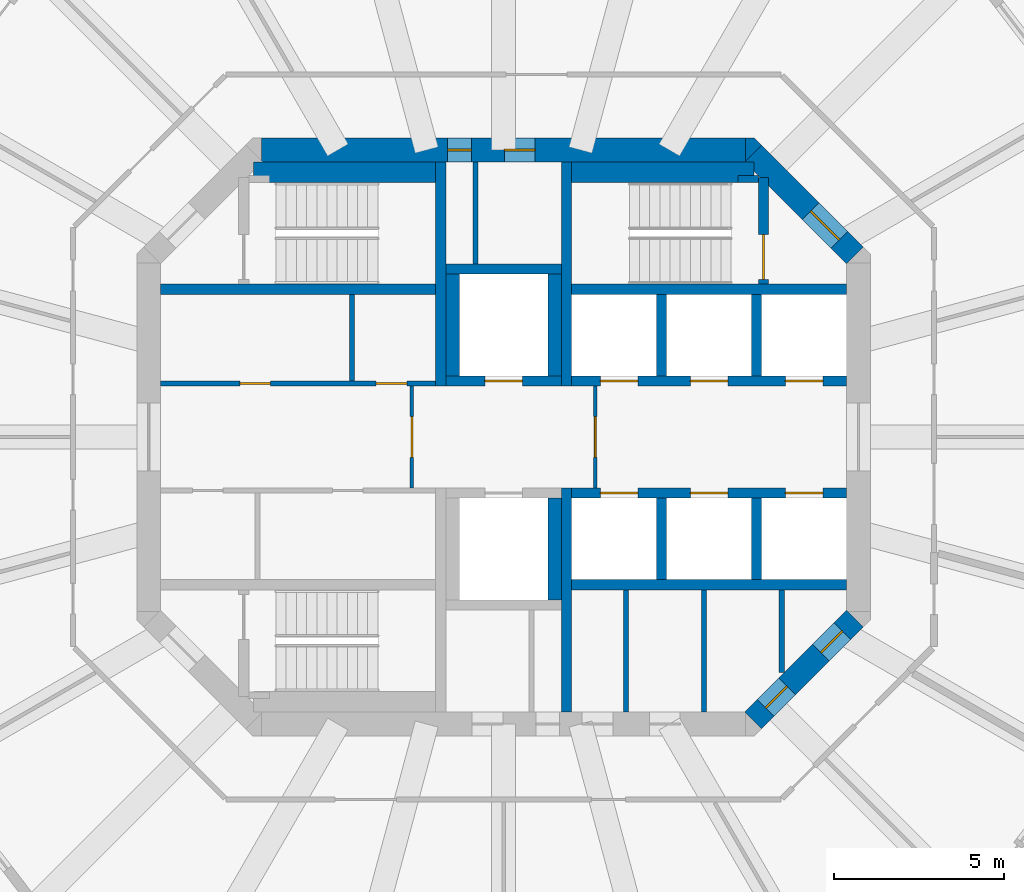
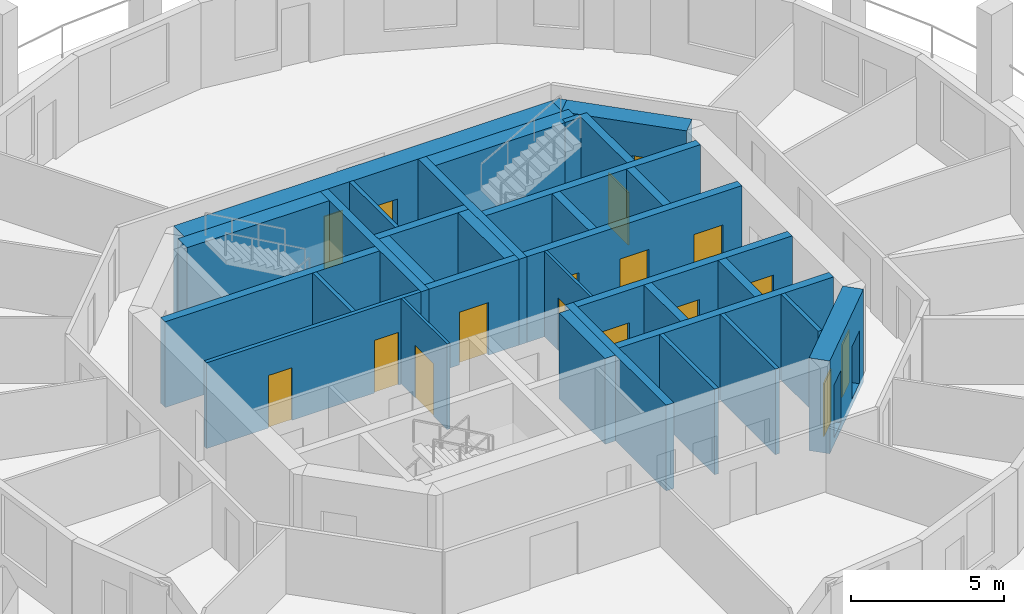
# One storey, part 4 of 8: 33 walls, 17 doors, 17 openings.
"""IFC4 building model written with IfcOpenShell, lengths in metres."""

from ifc_helpers import new_model, si_unit, direction, frame, frame_2d, origin, place, context, subcontext, project, spatial, polyline, rectangle, outline, extrude, material, layer, layer_set, type_object, element, fill, save


model = new_model("IFC4")

# Units and contexts
model_context = context("Model", 3, precision=1e-05, world=origin(), true_north=direction((0.0, 1.0)))
body_context = subcontext(model_context, "Body", "Model", "MODEL_VIEW")
ifc_project = project(units=[si_unit("LENGTHUNIT", "METRE"), si_unit("AREAUNIT", "SQUARE_METRE"), si_unit("VOLUMEUNIT", "CUBIC_METRE"), si_unit("PLANEANGLEUNIT", "RADIAN"), si_unit("MASSUNIT", "GRAM", prefix="KILO")], contexts=[model_context])

# Site, building, storey
site_placement = place(None, origin())
site = spatial("IfcSite", under=ifc_project, at=site_placement, CompositionType="ELEMENT")
building_placement = place(site_placement, origin())
building = spatial("IfcBuilding", under=site, at=building_placement, Name="Torre Triforio", CompositionType="ELEMENT")
storey_placement = place(building_placement, frame((0.0, 0.0, 200.199951171875)))
storey = spatial("IfcBuildingStorey", under=building, at=storey_placement, Name="L45", CompositionType="ELEMENT", Elevation=200.199951171875)

# Walls
ifc_material_1 = material(Name="Concrete C50", Category="concrete")
ifc_layer_1 = layer(ifc_material_1, 0.300048828125)
ifc_layer_set_1 = layer_set([ifc_layer_1], Name="Concrete C50")
wall_type_1 = type_object("IfcWallType", Name="Core wall 300 mm C50 EI 120", PredefinedType="SHEAR", material=ifc_layer_set_1)
for number, where, z_axis, x_axis, name in (
    (1, (-1.85009765625, 1.5, 0.0), (0.0, 0.0, 1.0), (0.0, 1.0, 0.0), "Core wall"),
    (2, (1.85009765625, 1.5, 0.0), (0.0, 0.0, 1.0), (0.0, 1.0, 0.0), "Core wall"),
    (3, (1.85009765625, -8.10009765625, 0.0), (0.0, 0.0, 1.0), (0.0, 1.0, 0.0), "Core wall"),
):
    element("IfcWall", number, at=place(storey_placement, frame(where, z_axis=z_axis, x_axis=x_axis)), inside=storey, type_object=wall_type_1, Name=name, PredefinedType="SHEAR", context=body_context, shape_type="SweptSolid", body=[
        extrude(rectangle(XDim=6.60009765625, YDim=0.300048828125, at=frame_2d((3.300048828125, 0.0))), origin(), (0.0, 0.0, 1.0), 3.420166015625),
    ])

# Wall, openings, doors
ifc_layer_2 = layer(ifc_material_1, 0.699951171875)
ifc_layer_set_2 = layer_set([ifc_layer_2], Name="Concrete C50")
wall_type_2 = type_object("IfcWallType", Name="Core wall 700 mm C50 EI 120", PredefinedType="SHEAR", material=ifc_layer_set_2)
wall_1_placement = place(storey_placement, frame((-7.1298828125, 8.449951171875, -0.280029296875), z_axis=(0.0, 0.0, 1.0), x_axis=(1.0, 0.0, 0.0)))
wall_1 = element("IfcWall", 4, at=wall_1_placement, inside=storey, type_object=wall_type_2, Name="Core wall", PredefinedType="SHEAR", context=body_context, shape_type="SweptSolid", body=[
    extrude(rectangle(XDim=14.259765625, YDim=0.699951171875, at=frame_2d((7.1298828125, 0.0))), origin(), (0.0, 0.0, 1.0), 3.7001953125),
])
opening_1_placement = place(wall_1_placement, frame((5.47998046875, 0.0, 0.280029296875)))
opening_1 = element("IfcOpeningElement", 5, at=opening_1_placement, cuts=wall_1, Name="Opening RISER-N", PredefinedType="OPENING", context=body_context, shape_type="SweptSolid", body=[
    extrude(rectangle(XDim=0.699951171875, YDim=2.10009765625, at=frame_2d((0.35009765625, 1.050048828125))), frame((0.0, 0.35986328125, 0.0), z_axis=(0.0, -1.0, 0.0), x_axis=(1.0, 0.0, 0.0)), (0.0, 0.0, 1.0), 0.719970703125),
])
opening_2_placement = place(wall_1_placement, frame((7.155029296875, 0.0, 0.280029296875)))
opening_2 = element("IfcOpeningElement", 6, at=opening_2_placement, cuts=wall_1, Name="Opening NE-01", PredefinedType="OPENING", context=body_context, shape_type="SweptSolid", body=[
    extrude(rectangle(XDim=0.89990234375, YDim=2.10009765625, at=frame_2d((0.449951171875, 1.050048828125))), frame((0.0, 0.35986328125, 0.0), z_axis=(0.0, -1.0, 0.0), x_axis=(1.0, 0.0, 0.0)), (0.0, 0.0, 1.0), 0.719970703125),
])
ifc_material_2 = material(Name="Hollow metal fire door leaf")
door_type_1 = type_object("IfcDoorType", Name="Riser door 700 x 2100 EI 60", OperationType="NOTDEFINED", PredefinedType="DOOR", material=ifc_material_2)
door_1_placement = place(opening_1_placement, origin())
door_1 = element("IfcDoor", 7, at=door_1_placement, inside=storey, type_object=door_type_1, Name="Core door RISER-N", OperationType="SINGLE_SWING_LEFT", OverallHeight=2.10009765625, OverallWidth=0.699951171875, PredefinedType="DOOR", context=body_context, shape_type="SweptSolid", body=[
    extrude(rectangle(XDim=0.699951171875, YDim=2.10009765625, at=frame_2d((0.35009765625, 1.050048828125))), frame((0.0, 0.02490234375, 0.0), z_axis=(0.0, -1.0, 0.0), x_axis=(1.0, 0.0, 0.0)), (0.0, 0.0, 1.0), 0.050048828125),
])
fill(opening_1, door_1)
door_type_2 = type_object("IfcDoorType", Name="Room door 900 x 2100 EI 60", OperationType="NOTDEFINED", PredefinedType="DOOR", material=ifc_material_2)
door_2_placement = place(opening_2_placement, origin())
door_2 = element("IfcDoor", 8, at=door_2_placement, inside=storey, type_object=door_type_2, Name="Core door NE-01", OperationType="SINGLE_SWING_RIGHT", OverallHeight=2.10009765625, OverallWidth=0.89990234375, PredefinedType="DOOR", context=body_context, shape_type="SweptSolid", body=[
    extrude(rectangle(XDim=0.89990234375, YDim=2.10009765625, at=frame_2d((0.449951171875, 1.050048828125))), frame((0.0, 0.02490234375, 0.0), z_axis=(0.0, -1.0, 0.0), x_axis=(1.0, 0.0, 0.0)), (0.0, 0.0, 1.0), 0.050048828125),
])
fill(opening_2, door_2)

# Wall, opening, door
wall_2_placement = place(storey_placement, frame((7.347412109375, 8.347412109375, -0.280029296875), z_axis=(0.0, 0.0, 1.0), x_axis=(0.707106781187, -0.707106781187, 0.0)))
wall_2 = element("IfcWall", 9, at=wall_2_placement, inside=storey, type_object=wall_type_2, Name="Core wall", PredefinedType="SHEAR", context=body_context, shape_type="SweptSolid", body=[
    extrude(rectangle(XDim=4.24267578125, YDim=0.699951171875, at=frame_2d((2.121337890625, 0.0))), origin(), (0.0, 0.0, 1.0), 3.7001953125),
])
opening_3_placement = place(wall_2_placement, frame((2.392578125, 0.0, 0.280029296875)))
opening_3 = element("IfcOpeningElement", 10, at=opening_3_placement, cuts=wall_2, Name="Opening ST2-EXIT", PredefinedType="OPENING", context=body_context, shape_type="SweptSolid", body=[
    extrude(rectangle(XDim=1.199951171875, YDim=2.10009765625, at=frame_2d((0.60009765625, 1.050048828125))), frame((0.0, 0.35986328125, 0.0), z_axis=(0.0, -1.0, 0.0), x_axis=(1.0, 0.0, 0.0)), (0.0, 0.0, 1.0), 0.719970703125),
])
door_type_3 = type_object("IfcDoorType", Name="Stair lobby door 1200 x 2100 EI 60", OperationType="NOTDEFINED", PredefinedType="DOOR", material=ifc_material_2)
door_3_placement = place(opening_3_placement, origin())
door_3 = element("IfcDoor", 11, at=door_3_placement, inside=storey, type_object=door_type_3, Name="Core door ST2-EXIT", OperationType="SINGLE_SWING_RIGHT", OverallHeight=2.10009765625, OverallWidth=1.199951171875, PredefinedType="DOOR", context=body_context, shape_type="SweptSolid", body=[
    extrude(rectangle(XDim=1.199951171875, YDim=2.10009765625, at=frame_2d((0.60009765625, 1.050048828125))), frame((0.0, 0.02490234375, 0.0), z_axis=(0.0, -1.0, 0.0), x_axis=(1.0, 0.0, 0.0)), (0.0, 0.0, 1.0), 0.050048828125),
])
fill(opening_3, door_3)

# Wall, openings, doors
wall_3_placement = place(storey_placement, frame((10.347412109375, -5.347412109375, -0.280029296875), z_axis=(0.0, 0.0, 1.0), x_axis=(-0.707106781187, -0.707106781187, 0.0)))
wall_3 = element("IfcWall", 12, at=wall_3_placement, inside=storey, type_object=wall_type_2, Name="Core wall", PredefinedType="SHEAR", context=body_context, shape_type="SweptSolid", body=[
    extrude(rectangle(XDim=4.24267578125, YDim=0.699951171875, at=frame_2d((2.121337890625, 0.0))), origin(), (0.0, 0.0, 1.0), 3.7001953125),
])
opening_4_placement = place(wall_3_placement, frame((2.82275390625, 0.0, 0.280029296875)))
opening_4 = element("IfcOpeningElement", 13, at=opening_4_placement, cuts=wall_3, Name="Opening SE-03", PredefinedType="OPENING", context=body_context, shape_type="SweptSolid", body=[
    extrude(rectangle(XDim=0.89990234375, YDim=2.10009765625, at=frame_2d((0.449951171875, 1.050048828125))), frame((0.0, 0.35986328125, 0.0), z_axis=(0.0, -1.0, 0.0), x_axis=(1.0, 0.0, 0.0)), (0.0, 0.0, 1.0), 0.719970703125),
])
opening_5_placement = place(wall_3_placement, frame((0.52001953125, 0.0, 0.280029296875)))
opening_5 = element("IfcOpeningElement", 14, at=opening_5_placement, cuts=wall_3, Name="Opening SE-04", PredefinedType="OPENING", context=body_context, shape_type="SweptSolid", body=[
    extrude(rectangle(XDim=0.89990234375, YDim=2.10009765625, at=frame_2d((0.449951171875, 1.050048828125))), frame((0.0, 0.35986328125, 0.0), z_axis=(0.0, -1.0, 0.0), x_axis=(1.0, 0.0, 0.0)), (0.0, 0.0, 1.0), 0.719970703125),
])
door_4_placement = place(opening_4_placement, origin())
door_4 = element("IfcDoor", 15, at=door_4_placement, inside=storey, type_object=door_type_2, Name="Core door SE-03", OperationType="SINGLE_SWING_RIGHT", OverallHeight=2.10009765625, OverallWidth=0.89990234375, PredefinedType="DOOR", context=body_context, shape_type="SweptSolid", body=[
    extrude(rectangle(XDim=0.89990234375, YDim=2.10009765625, at=frame_2d((0.449951171875, 1.050048828125))), frame((0.0, 0.02490234375, 0.0), z_axis=(0.0, -1.0, 0.0), x_axis=(1.0, 0.0, 0.0)), (0.0, 0.0, 1.0), 0.050048828125),
])
fill(opening_4, door_4)
door_5_placement = place(opening_5_placement, origin())
door_5 = element("IfcDoor", 16, at=door_5_placement, inside=storey, type_object=door_type_2, Name="Core door SE-04", OperationType="SINGLE_SWING_LEFT", OverallHeight=2.10009765625, OverallWidth=0.89990234375, PredefinedType="DOOR", context=body_context, shape_type="SweptSolid", body=[
    extrude(rectangle(XDim=0.89990234375, YDim=2.10009765625, at=frame_2d((0.449951171875, 1.050048828125))), frame((0.0, 0.02490234375, 0.0), z_axis=(0.0, -1.0, 0.0), x_axis=(1.0, 0.0, 0.0)), (0.0, 0.0, 1.0), 0.050048828125),
])
fill(opening_5, door_5)

# Wall
wall_4_placement = place(storey_placement, frame((0.0, 0.0, -0.280029296875)))
element("IfcWall", 17, at=wall_4_placement, inside=storey, type_object=wall_type_2, Name="Core wall", PredefinedType="SHEAR", context=body_context, shape_type="SweptSolid", body=[
    extrude(outline(polyline([(7.389892578125, 8.800048828125), (7.594970703125, 8.594970703125), (7.594970703125, 8.594970703125), (7.594970703125, 8.594970703125), (7.1298828125, 8.1298828125), (7.1298828125, 8.800048828125), (7.1298828125, 8.800048828125), (7.389892578125, 8.800048828125)])), origin(), (0.0, 0.0, 1.0), 3.7001953125),
])

# Wall, opening, door
ifc_material_3 = material(Name="Block and board partition")
ifc_layer_3 = layer(ifc_material_3, 0.10009765625)
ifc_layer_set_3 = layer_set([ifc_layer_3], Name="Block and board partition")
wall_type_3 = type_object("IfcWallType", Name="Partition 100 mm EI 120", PredefinedType="PARTITIONING", material=ifc_layer_set_3)
wall_5_placement = place(storey_placement, frame((-2.699951171875, -1.5, 0.0), z_axis=(0.0, 0.0, 1.0), x_axis=(0.0, 1.0, 0.0)))
wall_5 = element("IfcWall", 18, at=wall_5_placement, inside=storey, type_object=wall_type_3, Name="Partition", PredefinedType="PARTITIONING", context=body_context, shape_type="SweptSolid", body=[
    extrude(rectangle(XDim=3.0, YDim=0.10009765625, at=frame_2d((1.5, 0.0))), origin(), (0.0, 0.0, 1.0), 3.420166015625),
])
opening_6_placement = place(wall_5_placement, frame((0.89990234375, 0.0, 0.0)))
opening_6 = element("IfcOpeningElement", 19, at=opening_6_placement, cuts=wall_5, Name="Opening FF-W", PredefinedType="OPENING", context=body_context, shape_type="SweptSolid", body=[
    extrude(rectangle(XDim=1.199951171875, YDim=2.10009765625, at=frame_2d((0.60009765625, 1.050048828125))), frame((0.0, 0.06005859375, 0.0), z_axis=(0.0, -1.0, 0.0), x_axis=(1.0, 0.0, 0.0)), (0.0, 0.0, 1.0), 0.1201171875),
])
door_type_4 = type_object("IfcDoorType", Name="Fire-fighting lobby door 1200 x 2100 EI 60", OperationType="NOTDEFINED", PredefinedType="DOOR", material=ifc_material_2)
door_6_placement = place(opening_6_placement, origin())
door_6 = element("IfcDoor", 20, at=door_6_placement, inside=storey, type_object=door_type_4, Name="Core door FF-W", OperationType="SINGLE_SWING_LEFT", OverallHeight=2.10009765625, OverallWidth=1.199951171875, PredefinedType="DOOR", context=body_context, shape_type="SweptSolid", body=[
    extrude(rectangle(XDim=1.199951171875, YDim=2.10009765625, at=frame_2d((0.60009765625, 1.050048828125))), frame((0.0, 0.02490234375, 0.0), z_axis=(0.0, -1.0, 0.0), x_axis=(1.0, 0.0, 0.0)), (0.0, 0.0, 1.0), 0.050048828125),
])
fill(opening_6, door_6)

wall_6_placement = place(storey_placement, frame((2.699951171875, -1.5, 0.0), z_axis=(0.0, 0.0, 1.0), x_axis=(0.0, 1.0, 0.0)))
wall_6 = element("IfcWall", 21, at=wall_6_placement, inside=storey, type_object=wall_type_3, Name="Partition", PredefinedType="PARTITIONING", context=body_context, shape_type="SweptSolid", body=[
    extrude(rectangle(XDim=3.0, YDim=0.10009765625, at=frame_2d((1.5, 0.0))), origin(), (0.0, 0.0, 1.0), 3.420166015625),
])
opening_7_placement = place(wall_6_placement, frame((0.89990234375, 0.0, 0.0)))
opening_7 = element("IfcOpeningElement", 22, at=opening_7_placement, cuts=wall_6, Name="Opening FF-E", PredefinedType="OPENING", context=body_context, shape_type="SweptSolid", body=[
    extrude(rectangle(XDim=1.199951171875, YDim=2.10009765625, at=frame_2d((0.60009765625, 1.050048828125))), frame((0.0, 0.06005859375, 0.0), z_axis=(0.0, -1.0, 0.0), x_axis=(1.0, 0.0, 0.0)), (0.0, 0.0, 1.0), 0.1201171875),
])
door_7_placement = place(opening_7_placement, origin())
door_7 = element("IfcDoor", 23, at=door_7_placement, inside=storey, type_object=door_type_4, Name="Core door FF-E", OperationType="SINGLE_SWING_LEFT", OverallHeight=2.10009765625, OverallWidth=1.199951171875, PredefinedType="DOOR", context=body_context, shape_type="SweptSolid", body=[
    extrude(rectangle(XDim=1.199951171875, YDim=2.10009765625, at=frame_2d((0.60009765625, 1.050048828125))), frame((0.0, 0.02490234375, 0.0), z_axis=(0.0, -1.0, 0.0), x_axis=(1.0, 0.0, 0.0)), (0.0, 0.0, 1.0), 0.050048828125),
])
fill(opening_7, door_7)

# Walls
ifc_layer_4 = layer(ifc_material_3, 0.14990234375)
ifc_layer_set_4 = layer_set([ifc_layer_4], Name="Block and board partition")
wall_type_4 = type_object("IfcWallType", Name="Partition 150 mm", PredefinedType="PARTITIONING", material=ifc_layer_set_4)
for number, where, z_axis, x_axis, name in (
    (24, (3.60498046875, -8.10009765625, 0.0), (0.0, 0.0, 1.0), (0.0, 1.0, 0.0), "Partition"),
    (25, (5.89697265625, -8.10009765625, 0.0), (0.0, 0.0, 1.0), (0.0, 1.0, 0.0), "Partition"),
):
    element("IfcWall", number, at=place(storey_placement, frame(where, z_axis=z_axis, x_axis=x_axis)), inside=storey, type_object=wall_type_4, Name=name, PredefinedType="PARTITIONING", context=body_context, shape_type="SweptSolid", body=[
        extrude(rectangle(XDim=3.60009765625, YDim=0.14990234375, at=frame_2d((1.800048828125, 0.0))), origin(), (0.0, 0.0, 1.0), 3.420166015625),
    ])
wall_7_placement = place(storey_placement, frame((8.18896484375, -6.93603515625, 0.0), z_axis=(0.0, 0.0, 1.0), x_axis=(0.0, 1.0, 0.0)))
element("IfcWall", 26, at=wall_7_placement, inside=storey, type_object=wall_type_4, Name="Partition", PredefinedType="PARTITIONING", context=body_context, shape_type="SweptSolid", body=[
    extrude(rectangle(XDim=2.43603515625, YDim=0.14990234375, at=frame_2d((1.218017578125, 0.0))), origin(), (0.0, 0.0, 1.0), 3.420166015625),
])
wall_8_placement = place(storey_placement, frame((-4.4599609375, 1.64990234375, 0.0), z_axis=(0.0, 0.0, 1.0), x_axis=(0.0, 1.0, 0.0)))
element("IfcWall", 27, at=wall_8_placement, inside=storey, type_object=wall_type_4, Name="Partition", PredefinedType="PARTITIONING", context=body_context, shape_type="SweptSolid", body=[
    extrude(rectangle(XDim=2.550048828125, YDim=0.14990234375, at=frame_2d((1.27490234375, 0.0))), origin(), (0.0, 0.0, 1.0), 3.420166015625),
])
ifc_layer_5 = layer(ifc_material_3, 0.14990234375)
ifc_layer_set_5 = layer_set([ifc_layer_5], Name="Block and board partition")
wall_type_5 = type_object("IfcWallType", Name="Partition 150 mm EI 120", PredefinedType="PARTITIONING", material=ifc_layer_set_5)
wall_9_placement = place(storey_placement, frame((-0.824951171875, 5.10009765625, 0.0), z_axis=(0.0, 0.0, 1.0), x_axis=(0.0, 1.0, 0.0)))
element("IfcWall", 28, at=wall_9_placement, inside=storey, type_object=wall_type_5, Name="Partition", PredefinedType="PARTITIONING", context=body_context, shape_type="SweptSolid", body=[
    extrude(rectangle(XDim=3.0, YDim=0.14990234375, at=frame_2d((1.5, 0.0))), origin(), (0.0, 0.0, 1.0), 3.420166015625),
])

# Wall, openings, doors
wall_10_placement = place(storey_placement, frame((-10.10009765625, 1.574951171875, 0.0), z_axis=(0.0, 0.0, 1.0), x_axis=(1.0, 0.0, 0.0)))
wall_10 = element("IfcWall", 29, at=wall_10_placement, inside=storey, type_object=wall_type_5, Name="Partition", PredefinedType="PARTITIONING", context=body_context, shape_type="SweptSolid", body=[
    extrude(rectangle(XDim=8.10009765625, YDim=0.14990234375, at=frame_2d((4.050048828125, 0.0))), origin(), (0.0, 0.0, 1.0), 3.420166015625),
])
opening_8_placement = place(wall_10_placement, frame((2.33251953125, 0.0, 0.0)))
opening_8 = element("IfcOpeningElement", 30, at=opening_8_placement, cuts=wall_10, Name="Opening FN-01", PredefinedType="OPENING", context=body_context, shape_type="SweptSolid", body=[
    extrude(rectangle(XDim=0.89990234375, YDim=2.10009765625, at=frame_2d((0.449951171875, 1.050048828125))), frame((0.0, 0.0849609375, 0.0), z_axis=(0.0, -1.0, 0.0), x_axis=(1.0, 0.0, 0.0)), (0.0, 0.0, 1.0), 0.169921875),
])
opening_9_placement = place(wall_10_placement, frame((6.35009765625, 0.0, 0.0)))
opening_9 = element("IfcOpeningElement", 31, at=opening_9_placement, cuts=wall_10, Name="Opening FN-02A", PredefinedType="OPENING", context=body_context, shape_type="SweptSolid", body=[
    extrude(rectangle(XDim=0.89990234375, YDim=2.10009765625, at=frame_2d((0.449951171875, 1.050048828125))), frame((0.0, 0.0849609375, 0.0), z_axis=(0.0, -1.0, 0.0), x_axis=(1.0, 0.0, 0.0)), (0.0, 0.0, 1.0), 0.169921875),
])
door_type_5 = type_object("IfcDoorType", Name="Plant room door 900 x 2100 EI 60", OperationType="NOTDEFINED", PredefinedType="DOOR", material=ifc_material_2)
door_8_placement = place(opening_9_placement, origin())
door_8 = element("IfcDoor", 32, at=door_8_placement, inside=storey, type_object=door_type_5, Name="Core door FN-02", OperationType="SINGLE_SWING_RIGHT", OverallHeight=2.10009765625, OverallWidth=0.89990234375, PredefinedType="DOOR", context=body_context, shape_type="SweptSolid", body=[
    extrude(rectangle(XDim=0.89990234375, YDim=2.10009765625, at=frame_2d((0.449951171875, 1.050048828125))), frame((0.0, 0.02490234375, 0.0), z_axis=(0.0, -1.0, 0.0), x_axis=(1.0, 0.0, 0.0)), (0.0, 0.0, 1.0), 0.050048828125),
])
fill(opening_9, door_8)
door_9_placement = place(opening_8_placement, origin())
door_9 = element("IfcDoor", 33, at=door_9_placement, inside=storey, type_object=door_type_2, Name="Core door FN-01", OperationType="SINGLE_SWING_RIGHT", OverallHeight=2.10009765625, OverallWidth=0.89990234375, PredefinedType="DOOR", context=body_context, shape_type="SweptSolid", body=[
    extrude(rectangle(XDim=0.89990234375, YDim=2.10009765625, at=frame_2d((0.449951171875, 1.050048828125))), frame((0.0, 0.02490234375, 0.0), z_axis=(0.0, -1.0, 0.0), x_axis=(1.0, 0.0, 0.0)), (0.0, 0.0, 1.0), 0.050048828125),
])
fill(opening_8, door_9)

# Walls
ifc_layer_6 = layer(ifc_material_1, 0.300048828125)
ifc_layer_set_6 = layer_set([ifc_layer_6], Name="Concrete C50")
wall_type_6 = type_object("IfcWallType", Name="Shaft wall 300 mm C50 EI 120", PredefinedType="SOLIDWALL", material=ifc_layer_set_6)
for number, where, z_axis, x_axis, name in (
    (34, (-10.10009765625, 4.35009765625, 0.0), (0.0, 0.0, 1.0), (1.0, 0.0, 0.0), "Shaft wall"),
    (35, (2.0, 4.35009765625, 0.0), (0.0, 0.0, 1.0), (1.0, 0.0, 0.0), "Shaft wall"),
    (36, (2.0, -4.35009765625, 0.0), (0.0, 0.0, 1.0), (1.0, 0.0, 0.0), "Shaft wall"),
):
    element("IfcWall", number, at=place(storey_placement, frame(where, z_axis=z_axis, x_axis=x_axis)), inside=storey, type_object=wall_type_6, Name=name, PredefinedType="SOLIDWALL", context=body_context, shape_type="SweptSolid", body=[
        extrude(rectangle(XDim=8.10009765625, YDim=0.300048828125, at=frame_2d((4.050048828125, 0.0))), origin(), (0.0, 0.0, 1.0), 3.420166015625),
    ])

# Wall, openings, doors
wall_11_placement = place(storey_placement, frame((2.0, 1.64990234375, 0.0), z_axis=(0.0, 0.0, 1.0), x_axis=(1.0, 0.0, 0.0)))
wall_11 = element("IfcWall", 37, at=wall_11_placement, inside=storey, type_object=wall_type_6, Name="Shaft wall", PredefinedType="SOLIDWALL", context=body_context, shape_type="SweptSolid", body=[
    extrude(rectangle(XDim=8.10009765625, YDim=0.300048828125, at=frame_2d((4.050048828125, 0.0))), origin(), (0.0, 0.0, 1.0), 3.420166015625),
])
opening_10_placement = place(wall_11_placement, frame((0.85009765625, 0.0, 0.0)))
opening_10 = element("IfcOpeningElement", 38, at=opening_10_placement, cuts=wall_11, Name="Opening LD", PredefinedType="OPENING", context=body_context, shape_type="SweptSolid", body=[
    extrude(rectangle(XDim=1.10009765625, YDim=2.10009765625, at=frame_2d((0.550048828125, 1.050048828125))), frame((0.0, 0.159912109375, 0.0), z_axis=(0.0, -1.0, 0.0), x_axis=(1.0, 0.0, 0.0)), (0.0, 0.0, 1.0), 0.320068359375),
])
opening_11_placement = place(wall_11_placement, frame((3.5, 0.0, 0.0)))
opening_11 = element("IfcOpeningElement", 39, at=opening_11_placement, cuts=wall_11, Name="Opening LD", PredefinedType="OPENING", context=body_context, shape_type="SweptSolid", body=[
    extrude(rectangle(XDim=1.10009765625, YDim=2.10009765625, at=frame_2d((0.550048828125, 1.050048828125))), frame((0.0, 0.159912109375, 0.0), z_axis=(0.0, -1.0, 0.0), x_axis=(1.0, 0.0, 0.0)), (0.0, 0.0, 1.0), 0.320068359375),
])
opening_12_placement = place(wall_11_placement, frame((6.300048828125, 0.0, 0.0)))
opening_12 = element("IfcOpeningElement", 40, at=opening_12_placement, cuts=wall_11, Name="Opening LD", PredefinedType="OPENING", context=body_context, shape_type="SweptSolid", body=[
    extrude(rectangle(XDim=1.10009765625, YDim=2.10009765625, at=frame_2d((0.550048828125, 1.050048828125))), frame((0.0, 0.159912109375, 0.0), z_axis=(0.0, -1.0, 0.0), x_axis=(1.0, 0.0, 0.0)), (0.0, 0.0, 1.0), 0.320068359375),
])
door_type_6 = type_object("IfcDoorType", Name="Landing door 1100 x 2100 EI 60", OperationType="DOUBLE_DOOR_SLIDING", PredefinedType="DOOR", material=ifc_material_2)
door_10_placement = place(opening_10_placement, origin())
door_10 = element("IfcDoor", 41, at=door_10_placement, inside=storey, type_object=door_type_6, Name="Landing door HR1", OperationType="DOUBLE_DOOR_SLIDING", OverallHeight=2.10009765625, OverallWidth=1.10009765625, PredefinedType="DOOR", context=body_context, shape_type="SweptSolid", body=[
    extrude(rectangle(XDim=1.10009765625, YDim=2.10009765625, at=frame_2d((0.550048828125, 1.050048828125))), frame((0.0, 0.02490234375, 0.0), z_axis=(0.0, -1.0, 0.0), x_axis=(1.0, 0.0, 0.0)), (0.0, 0.0, 1.0), 0.050048828125),
])
fill(opening_10, door_10)
door_11_placement = place(opening_11_placement, origin())
door_11 = element("IfcDoor", 42, at=door_11_placement, inside=storey, type_object=door_type_6, Name="Landing door HR2", OperationType="DOUBLE_DOOR_SLIDING", OverallHeight=2.10009765625, OverallWidth=1.10009765625, PredefinedType="DOOR", context=body_context, shape_type="SweptSolid", body=[
    extrude(rectangle(XDim=1.10009765625, YDim=2.10009765625, at=frame_2d((0.550048828125, 1.050048828125))), frame((0.0, 0.02490234375, 0.0), z_axis=(0.0, -1.0, 0.0), x_axis=(1.0, 0.0, 0.0)), (0.0, 0.0, 1.0), 0.050048828125),
])
fill(opening_11, door_11)
door_12_placement = place(opening_12_placement, origin())
door_12 = element("IfcDoor", 43, at=door_12_placement, inside=storey, type_object=door_type_6, Name="Landing door HR3", OperationType="DOUBLE_DOOR_SLIDING", OverallHeight=2.10009765625, OverallWidth=1.10009765625, PredefinedType="DOOR", context=body_context, shape_type="SweptSolid", body=[
    extrude(rectangle(XDim=1.10009765625, YDim=2.10009765625, at=frame_2d((0.550048828125, 1.050048828125))), frame((0.0, 0.02490234375, 0.0), z_axis=(0.0, -1.0, 0.0), x_axis=(1.0, 0.0, 0.0)), (0.0, 0.0, 1.0), 0.050048828125),
])
fill(opening_12, door_12)

wall_12_placement = place(storey_placement, frame((2.0, -1.64990234375, 0.0), z_axis=(0.0, 0.0, 1.0), x_axis=(1.0, 0.0, 0.0)))
wall_12 = element("IfcWall", 44, at=wall_12_placement, inside=storey, type_object=wall_type_6, Name="Shaft wall", PredefinedType="SOLIDWALL", context=body_context, shape_type="SweptSolid", body=[
    extrude(rectangle(XDim=8.10009765625, YDim=0.300048828125, at=frame_2d((4.050048828125, 0.0))), origin(), (0.0, 0.0, 1.0), 3.420166015625),
])
opening_13_placement = place(wall_12_placement, frame((0.85009765625, 0.0, 0.0)))
opening_13 = element("IfcOpeningElement", 45, at=opening_13_placement, cuts=wall_12, Name="Opening LD", PredefinedType="OPENING", context=body_context, shape_type="SweptSolid", body=[
    extrude(rectangle(XDim=1.10009765625, YDim=2.10009765625, at=frame_2d((0.550048828125, 1.050048828125))), frame((0.0, 0.159912109375, 0.0), z_axis=(0.0, -1.0, 0.0), x_axis=(1.0, 0.0, 0.0)), (0.0, 0.0, 1.0), 0.320068359375),
])
opening_14_placement = place(wall_12_placement, frame((3.5, 0.0, 0.0)))
opening_14 = element("IfcOpeningElement", 46, at=opening_14_placement, cuts=wall_12, Name="Opening LD", PredefinedType="OPENING", context=body_context, shape_type="SweptSolid", body=[
    extrude(rectangle(XDim=1.10009765625, YDim=2.10009765625, at=frame_2d((0.550048828125, 1.050048828125))), frame((0.0, 0.159912109375, 0.0), z_axis=(0.0, -1.0, 0.0), x_axis=(1.0, 0.0, 0.0)), (0.0, 0.0, 1.0), 0.320068359375),
])
opening_15_placement = place(wall_12_placement, frame((6.300048828125, 0.0, 0.0)))
opening_15 = element("IfcOpeningElement", 47, at=opening_15_placement, cuts=wall_12, Name="Opening LD", PredefinedType="OPENING", context=body_context, shape_type="SweptSolid", body=[
    extrude(rectangle(XDim=1.10009765625, YDim=2.10009765625, at=frame_2d((0.550048828125, 1.050048828125))), frame((0.0, 0.159912109375, 0.0), z_axis=(0.0, -1.0, 0.0), x_axis=(1.0, 0.0, 0.0)), (0.0, 0.0, 1.0), 0.320068359375),
])
door_13_placement = place(opening_13_placement, origin())
door_13 = element("IfcDoor", 48, at=door_13_placement, inside=storey, type_object=door_type_6, Name="Landing door HR4", OperationType="DOUBLE_DOOR_SLIDING", OverallHeight=2.10009765625, OverallWidth=1.10009765625, PredefinedType="DOOR", context=body_context, shape_type="SweptSolid", body=[
    extrude(rectangle(XDim=1.10009765625, YDim=2.10009765625, at=frame_2d((0.550048828125, 1.050048828125))), frame((0.0, 0.02490234375, 0.0), z_axis=(0.0, -1.0, 0.0), x_axis=(1.0, 0.0, 0.0)), (0.0, 0.0, 1.0), 0.050048828125),
])
fill(opening_13, door_13)
door_14_placement = place(opening_14_placement, origin())
door_14 = element("IfcDoor", 49, at=door_14_placement, inside=storey, type_object=door_type_6, Name="Landing door HR5", OperationType="DOUBLE_DOOR_SLIDING", OverallHeight=2.10009765625, OverallWidth=1.10009765625, PredefinedType="DOOR", context=body_context, shape_type="SweptSolid", body=[
    extrude(rectangle(XDim=1.10009765625, YDim=2.10009765625, at=frame_2d((0.550048828125, 1.050048828125))), frame((0.0, 0.02490234375, 0.0), z_axis=(0.0, -1.0, 0.0), x_axis=(1.0, 0.0, 0.0)), (0.0, 0.0, 1.0), 0.050048828125),
])
fill(opening_14, door_14)
door_15_placement = place(opening_15_placement, origin())
door_15 = element("IfcDoor", 50, at=door_15_placement, inside=storey, type_object=door_type_6, Name="Landing door HR6", OperationType="DOUBLE_DOOR_SLIDING", OverallHeight=2.10009765625, OverallWidth=1.10009765625, PredefinedType="DOOR", context=body_context, shape_type="SweptSolid", body=[
    extrude(rectangle(XDim=1.10009765625, YDim=2.10009765625, at=frame_2d((0.550048828125, 1.050048828125))), frame((0.0, 0.02490234375, 0.0), z_axis=(0.0, -1.0, 0.0), x_axis=(1.0, 0.0, 0.0)), (0.0, 0.0, 1.0), 0.050048828125),
])
fill(opening_15, door_15)

# Walls
for number, where, z_axis, x_axis, name in (
    (51, (4.64990234375, 1.800048828125, 0.0), (0.0, 0.0, 1.0), (0.0, 1.0, 0.0), "Shaft wall"),
    (52, (4.64990234375, -4.199951171875, 0.0), (0.0, 0.0, 1.0), (0.0, 1.0, 0.0), "Shaft wall"),
    (53, (7.449951171875, 1.800048828125, 0.0), (0.0, 0.0, 1.0), (0.0, 1.0, 0.0), "Shaft wall"),
    (54, (7.449951171875, -4.199951171875, 0.0), (0.0, 0.0, 1.0), (0.0, 1.0, 0.0), "Shaft wall"),
):
    element("IfcWall", number, at=place(storey_placement, frame(where, z_axis=z_axis, x_axis=x_axis)), inside=storey, type_object=wall_type_6, Name=name, PredefinedType="SOLIDWALL", context=body_context, shape_type="SweptSolid", body=[
        extrude(rectangle(XDim=2.39990234375, YDim=0.300048828125, at=frame_2d((1.199951171875, 0.0))), origin(), (0.0, 0.0, 1.0), 3.420166015625),
    ])

# Wall, opening, door
wall_13_placement = place(storey_placement, frame((-1.699951171875, 1.64990234375, 0.0), z_axis=(0.0, 0.0, 1.0), x_axis=(1.0, 0.0, 0.0)))
wall_13 = element("IfcWall", 55, at=wall_13_placement, inside=storey, type_object=wall_type_6, Name="Shaft wall", PredefinedType="SOLIDWALL", context=body_context, shape_type="SweptSolid", body=[
    extrude(rectangle(XDim=3.39990234375, YDim=0.300048828125, at=frame_2d((1.699951171875, 0.0))), origin(), (0.0, 0.0, 1.0), 3.420166015625),
])
opening_16_placement = place(wall_13_placement, frame((1.14990234375, 0.0, 0.0)))
opening_16 = element("IfcOpeningElement", 56, at=opening_16_placement, cuts=wall_13, Name="Opening LD", PredefinedType="OPENING", context=body_context, shape_type="SweptSolid", body=[
    extrude(rectangle(XDim=1.10009765625, YDim=2.10009765625, at=frame_2d((0.550048828125, 1.050048828125))), frame((0.0, 0.159912109375, 0.0), z_axis=(0.0, -1.0, 0.0), x_axis=(1.0, 0.0, 0.0)), (0.0, 0.0, 1.0), 0.320068359375),
])
door_16_placement = place(opening_16_placement, origin())
door_16 = element("IfcDoor", 57, at=door_16_placement, inside=storey, type_object=door_type_6, Name="Landing door FFL1", OperationType="DOUBLE_DOOR_SLIDING", OverallHeight=2.10009765625, OverallWidth=1.10009765625, PredefinedType="DOOR", context=body_context, shape_type="SweptSolid", body=[
    extrude(rectangle(XDim=1.10009765625, YDim=2.10009765625, at=frame_2d((0.550048828125, 1.050048828125))), frame((0.0, 0.02490234375, 0.0), z_axis=(0.0, -1.0, 0.0), x_axis=(1.0, 0.0, 0.0)), (0.0, 0.0, 1.0), 0.050048828125),
])
fill(opening_16, door_16)

# Walls
wall_14_placement = place(storey_placement, frame((-1.699951171875, 4.949951171875, 0.0), z_axis=(0.0, 0.0, 1.0), x_axis=(1.0, 0.0, 0.0)))
element("IfcWall", 58, at=wall_14_placement, inside=storey, type_object=wall_type_6, Name="Shaft wall", PredefinedType="SOLIDWALL", context=body_context, shape_type="SweptSolid", body=[
    extrude(rectangle(XDim=3.39990234375, YDim=0.300048828125, at=frame_2d((1.699951171875, 0.0))), origin(), (0.0, 0.0, 1.0), 3.420166015625),
])
ifc_layer_7 = layer(ifc_material_1, 0.39990234375)
ifc_layer_set_7 = layer_set([ifc_layer_7], Name="Concrete C50")
wall_type_7 = type_object("IfcWallType", Name="Shaft wall 400 mm C50 EI 120", PredefinedType="SOLIDWALL", material=ifc_layer_set_7)
for number, where, z_axis, x_axis, name in (
    (59, (-1.5, 1.800048828125, 0.0), (0.0, 0.0, 1.0), (0.0, 1.0, 0.0), "Shaft wall"),
    (60, (1.5, 1.800048828125, 0.0), (0.0, 0.0, 1.0), (0.0, 1.0, 0.0), "Shaft wall"),
    (61, (1.5, -4.800048828125, 0.0), (0.0, 0.0, 1.0), (0.0, 1.0, 0.0), "Shaft wall"),
):
    element("IfcWall", number, at=place(storey_placement, frame(where, z_axis=z_axis, x_axis=x_axis)), inside=storey, type_object=wall_type_7, Name=name, PredefinedType="SOLIDWALL", context=body_context, shape_type="SweptSolid", body=[
        extrude(rectangle(XDim=3.0, YDim=0.39990234375, at=frame_2d((1.5, 0.0))), origin(), (0.0, 0.0, 1.0), 3.420166015625),
    ])
ifc_layer_8 = layer(ifc_material_1, 0.199951171875)
ifc_layer_set_8 = layer_set([ifc_layer_8], Name="Concrete C50")
wall_type_8 = type_object("IfcWallType", Name="Stair wall 200 mm C50 EI 120", PredefinedType="SHEAR", material=ifc_layer_set_8)
wall_15_placement = place(storey_placement, frame((6.89990234375, 7.60009765625, 0.0), z_axis=(0.0, 0.0, 1.0), x_axis=(1.0, 0.0, 0.0)))
element("IfcWall", 62, at=wall_15_placement, inside=storey, type_object=wall_type_8, Name="Stair wall", PredefinedType="SHEAR", context=body_context, shape_type="SweptSolid", body=[
    extrude(rectangle(XDim=0.60009765625, YDim=0.199951171875, at=frame_2d((0.300048828125, 0.0))), origin(), (0.0, 0.0, 1.0), 3.420166015625),
])

# Wall, opening, door
ifc_layer_9 = layer(ifc_material_1, 0.300048828125)
ifc_layer_set_9 = layer_set([ifc_layer_9], Name="Concrete C50")
wall_type_9 = type_object("IfcWallType", Name="Stair wall 300 mm C50 EI 120", PredefinedType="SHEAR", material=ifc_layer_set_9)
wall_16_placement = place(storey_placement, frame((7.64990234375, 4.5, 0.0), z_axis=(0.0, 0.0, 1.0), x_axis=(0.0, 1.0, 0.0)))
wall_16 = element("IfcWall", 63, at=wall_16_placement, inside=storey, type_object=wall_type_9, Name="Stair wall", PredefinedType="SHEAR", context=body_context, shape_type="SweptSolid", body=[
    extrude(rectangle(XDim=3.139892578125, YDim=0.300048828125, at=frame_2d((1.56982421875, 0.0))), origin(), (0.0, 0.0, 1.0), 3.420166015625),
])
opening_17_placement = place(wall_16_placement, frame((0.139892578125, 0.0, 0.0)))
opening_17 = element("IfcOpeningElement", 64, at=opening_17_placement, cuts=wall_16, Name="Opening ST2-STA", PredefinedType="OPENING", context=body_context, shape_type="SweptSolid", body=[
    extrude(rectangle(XDim=1.320068359375, YDim=2.10009765625, at=frame_2d((0.66015625, 1.050048828125))), frame((0.0, 0.159912109375, 0.0), z_axis=(0.0, -1.0, 0.0), x_axis=(1.0, 0.0, 0.0)), (0.0, 0.0, 1.0), 0.320068359375),
])
door_type_7 = type_object("IfcDoorType", Name="Stair door 1320 x 2100 EI 90", OperationType="DOUBLE_DOOR_SINGLE_SWING", PredefinedType="DOOR", material=ifc_material_2)
door_17_placement = place(opening_17_placement, origin())
door_17 = element("IfcDoor", 65, at=door_17_placement, inside=storey, type_object=door_type_7, Name="Core door ST2-ST", OperationType="DOUBLE_DOOR_SINGLE_SWING", OverallHeight=2.10009765625, OverallWidth=1.320068359375, PredefinedType="DOOR", context=body_context, shape_type="SweptSolid", body=[
    extrude(rectangle(XDim=1.320068359375, YDim=2.10009765625, at=frame_2d((0.66015625, 1.050048828125))), frame((0.0, 0.02490234375, 0.0), z_axis=(0.0, -1.0, 0.0), x_axis=(1.0, 0.0, 0.0)), (0.0, 0.0, 1.0), 0.050048828125),
])
fill(opening_17, door_17)

# Walls
ifc_layer_10 = layer(ifc_material_1, 0.60009765625)
ifc_layer_set_10 = layer_set([ifc_layer_10], Name="Concrete C50")
wall_type_10 = type_object("IfcWallType", Name="Stair wall 600 mm C50 EI 120", PredefinedType="SHEAR", material=ifc_layer_set_10)
for number, where, z_axis, x_axis, name in (
    (66, (-7.3701171875, 7.800048828125, 0.0), (0.0, 0.0, 1.0), (1.0, 0.0, 0.0), "Stair wall"),
    (67, (2.0, 7.800048828125, 0.0), (0.0, 0.0, 1.0), (1.0, 0.0, 0.0), "Stair wall"),
):
    element("IfcWall", number, at=place(storey_placement, frame(where, z_axis=z_axis, x_axis=x_axis)), inside=storey, type_object=wall_type_10, Name=name, PredefinedType="SHEAR", context=body_context, shape_type="SweptSolid", body=[
        extrude(rectangle(XDim=5.3701171875, YDim=0.60009765625, at=frame_2d((2.68505859375, 0.0))), origin(), (0.0, 0.0, 1.0), 3.420166015625),
    ])

save(model, "model.ifc")
